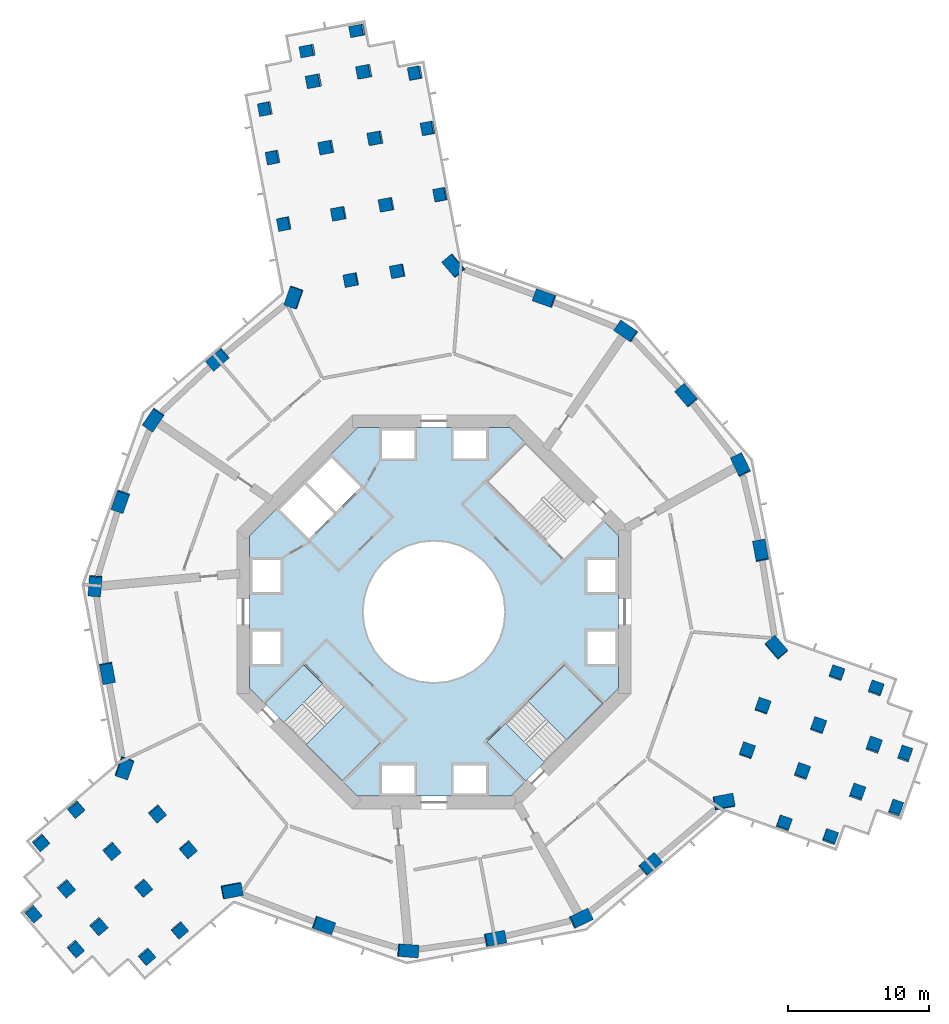
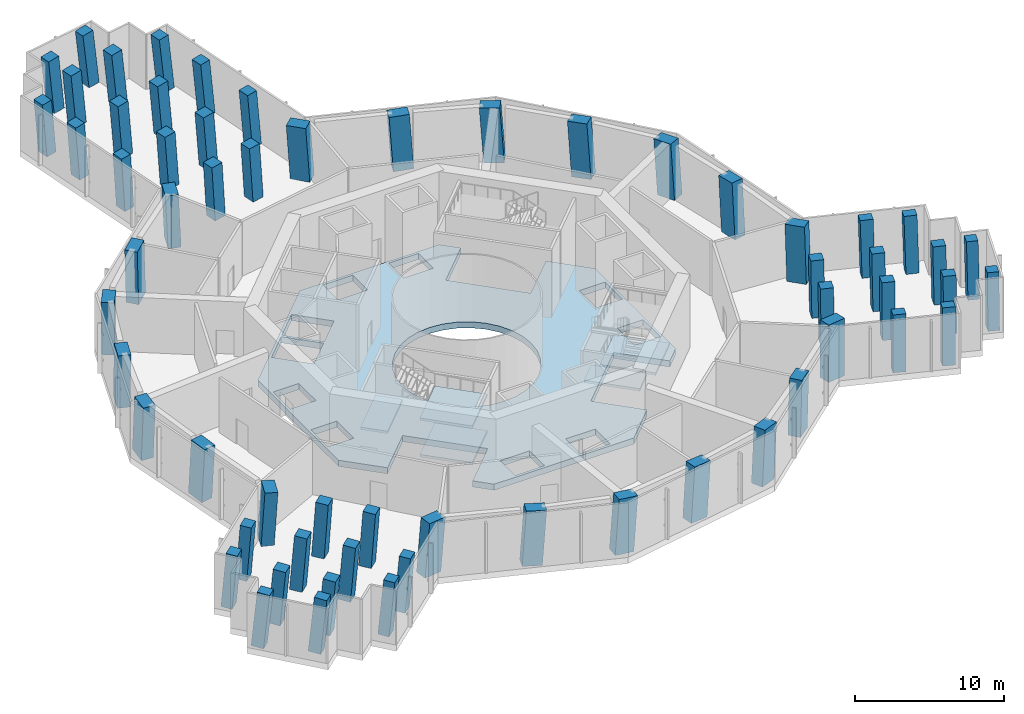
# One storey, part 1 of 20: 61 columns, 6 slabs, 2 elements without a shape of their own.
"""IFC4 building model written with IfcOpenShell, lengths in metres."""

from ifc_helpers import new_model, si_unit, direction, frame, origin, origin_2d, place, context, subcontext, project, spatial, polyline, rectangle, outline, extrude, material, layer, layer_set, material_profile, profile_set, type_object, element, aggregate, save


model = new_model("IFC4")

# Units and contexts
model_context = context("Model", 3, precision=1e-05, world=origin(), true_north=direction((0.0, 1.0)))
body_context = subcontext(model_context, "Body", "Model", "MODEL_VIEW")
ifc_project = project(units=[si_unit("LENGTHUNIT", "METRE"), si_unit("AREAUNIT", "SQUARE_METRE"), si_unit("VOLUMEUNIT", "CUBIC_METRE"), si_unit("PLANEANGLEUNIT", "RADIAN"), si_unit("MASSUNIT", "GRAM", prefix="KILO")], contexts=[model_context])

# Site, building, storey
site_placement = place(None, origin())
site = spatial("IfcSite", under=ifc_project, at=site_placement, CompositionType="ELEMENT")
building_placement = place(site_placement, origin())
building = spatial("IfcBuilding", under=site, at=building_placement, Name="Verdalira Terraces Hotel", CompositionType="ELEMENT")
storey_placement = place(building_placement, frame((0.0, 0.0, 75.0)))
storey = spatial("IfcBuildingStorey", under=building, at=storey_placement, Name="L17", CompositionType="ELEMENT", Elevation=75.0)

# Columns
ifc_material_1 = material(Name="Concrete C80", Category="concrete")
ifc_material_profile_1 = material_profile(ifc_material_1, rectangle(XDim=1.399902, YDim=0.899902, at=origin_2d()), Name="RC 1400X900")
ifc_profile_set_1 = profile_set([ifc_material_profile_1], Name="Concrete C80")
column_type_1 = type_object("IfcColumnType", Name="Column RC 1400X900 C80", PredefinedType="COLUMN", material=ifc_profile_set_1)
column_1_placement = place(storey_placement, frame((-9.942627, 22.341064, 0.0), z_axis=(-0.062029974, -0.028200363, 0.99767581), x_axis=(0.330642475, 0.942575024, 0.047200405)))
element("IfcColumn", 1, at=column_1_placement, inside=storey, type_object=column_type_1, Name="Column C07", PredefinedType="COLUMN", context=body_context, shape_type="SweptSolid", body=[
    extrude(rectangle(XDim=1.399902, YDim=0.899902, at=origin_2d()), origin(), (0.0, 0.0, 1.0), 4.510498),
])
column_2_placement = place(storey_placement, frame((-15.351318, 17.935791, 0.0), z_axis=(-0.049588704, -0.043146504, 0.997837331), x_axis=(-0.758262845, -0.64862709, -0.065729414)))
element("IfcColumn", 2, at=column_2_placement, inside=storey, type_object=column_type_1, Name="Column C08", PredefinedType="COLUMN", context=body_context, shape_type="SweptSolid", body=[
    extrude(rectangle(XDim=1.399902, YDim=0.899902, at=origin_2d()), origin(), (0.0, 0.0, 1.0), 4.509766),
])
column_3_placement = place(storey_placement, frame((-19.917969, 13.658691, 0.0), z_axis=(-0.03756661, -0.055808609, 0.997734508), x_axis=(0.564089208, 0.822968914, 0.067272074)))
element("IfcColumn", 3, at=column_3_placement, inside=storey, type_object=column_type_1, Name="Column C09", PredefinedType="COLUMN", context=body_context, shape_type="SweptSolid", body=[
    extrude(rectangle(XDim=1.399902, YDim=0.899902, at=origin_2d()), origin(), (0.0, 0.0, 1.0), 4.510254),
])
column_4_placement = place(storey_placement, frame((-22.262451, 7.857422, 0.0), z_axis=(-0.021383642, -0.062256172, 0.997831102), x_axis=(-0.332073569, -0.940953962, -0.0658239)))
element("IfcColumn", 4, at=column_4_placement, inside=storey, type_object=column_type_1, Name="Column C10", PredefinedType="COLUMN", context=body_context, shape_type="SweptSolid", body=[
    extrude(rectangle(XDim=1.399902, YDim=0.899902, at=origin_2d()), origin(), (0.0, 0.0, 1.0), 4.509766),
])
column_5_placement = place(storey_placement, frame((-24.078857, 1.869629, 0.0), z_axis=(-0.004601096, -0.067121874, 0.997734175), x_axis=(0.076607564, 0.994788965, 0.067277016)))
element("IfcColumn", 5, at=column_5_placement, inside=storey, type_object=column_type_1, Name="Column C11", PredefinedType="COLUMN", context=body_context, shape_type="SweptSolid", body=[
    extrude(rectangle(XDim=1.399902, YDim=0.899902, at=origin_2d()), origin(), (0.0, 0.0, 1.0), 4.510254),
])
column_6_placement = place(storey_placement, frame((-23.208496, -4.32666, 0.0), z_axis=(0.01261366, -0.064584105, 0.997832546), x_axis=(0.18302285, -0.980904037, -0.06580202)))
element("IfcColumn", 6, at=column_6_placement, inside=storey, type_object=column_type_1, Name="Column C12", PredefinedType="COLUMN", context=body_context, shape_type="SweptSolid", body=[
    extrude(rectangle(XDim=1.399902, YDim=0.899902, at=origin_2d()), origin(), (0.0, 0.0, 1.0), 4.509766),
])
column_7_placement = place(storey_placement, frame((-22.00293, -11.066162, 0.0), z_axis=(0.031338701, -0.061053636, 0.997642391), x_axis=(0.334806425, 0.941110213, 0.04707679)))
element("IfcColumn", 7, at=column_7_placement, inside=storey, type_object=column_type_1, Name="Column C13", PredefinedType="COLUMN", context=body_context, shape_type="SweptSolid", body=[
    extrude(rectangle(XDim=1.399902, YDim=0.899902, at=origin_2d()), origin(), (0.0, 0.0, 1.0), 4.510742),
])
column_8_placement = place(storey_placement, frame((-14.376709, -19.78125, 0.0), z_axis=(0.055480543, -0.039567099, 0.997675475), x_axis=(-0.981430736, -0.185918026, 0.047203799)))
element("IfcColumn", 8, at=column_8_placement, inside=storey, type_object=column_type_1, Name="Column C20", PredefinedType="COLUMN", context=body_context, shape_type="SweptSolid", body=[
    extrude(rectangle(XDim=1.399902, YDim=0.899902, at=origin_2d()), origin(), (0.0, 0.0, 1.0), 4.510498),
])
column_9_placement = place(storey_placement, frame((-7.857422, -22.262451, 0.0), z_axis=(0.062256172, -0.021383642, 0.997831102), x_axis=(0.940953962, -0.332073569, -0.0658239)))
element("IfcColumn", 9, at=column_9_placement, inside=storey, type_object=column_type_1, Name="Column C21", PredefinedType="COLUMN", context=body_context, shape_type="SweptSolid", body=[
    extrude(rectangle(XDim=1.399902, YDim=0.899902, at=origin_2d()), origin(), (0.0, 0.0, 1.0), 4.509766),
])
column_10_placement = place(storey_placement, frame((-1.869629, -24.078857, 0.0), z_axis=(0.067121874, -0.004601096, 0.997734175), x_axis=(-0.994788965, 0.076607564, 0.067277016)))
element("IfcColumn", 10, at=column_10_placement, inside=storey, type_object=column_type_1, Name="Column C22", PredefinedType="COLUMN", context=body_context, shape_type="SweptSolid", body=[
    extrude(rectangle(XDim=1.399902, YDim=0.899902, at=origin_2d()), origin(), (0.0, 0.0, 1.0), 4.510254),
])
column_11_placement = place(storey_placement, frame((4.32666, -23.208496, 0.0), z_axis=(0.064584105, 0.01261366, 0.997832546), x_axis=(0.980904037, 0.18302285, -0.06580202)))
element("IfcColumn", 11, at=column_11_placement, inside=storey, type_object=column_type_1, Name="Column C23", PredefinedType="COLUMN", context=body_context, shape_type="SweptSolid", body=[
    extrude(rectangle(XDim=1.399902, YDim=0.899902, at=origin_2d()), origin(), (0.0, 0.0, 1.0), 4.509766),
])
column_12_placement = place(storey_placement, frame((10.420166, -21.787598, 0.0), z_axis=(0.06046373, 0.029555234, 0.997732743), x_axis=(-0.900031459, -0.430597628, 0.067298255)))
element("IfcColumn", 12, at=column_12_placement, inside=storey, type_object=column_type_1, Name="Column C24", PredefinedType="COLUMN", context=body_context, shape_type="SweptSolid", body=[
    extrude(rectangle(XDim=1.399902, YDim=0.899902, at=origin_2d()), origin(), (0.0, 0.0, 1.0), 4.510254),
])
column_13_placement = place(storey_placement, frame((15.351318, -17.935791, 0.0), z_axis=(0.049588704, 0.043146504, 0.997837331), x_axis=(0.758262845, 0.64862709, -0.065729414)))
element("IfcColumn", 13, at=column_13_placement, inside=storey, type_object=column_type_1, Name="Column C25", PredefinedType="COLUMN", context=body_context, shape_type="SweptSolid", body=[
    extrude(rectangle(XDim=1.399902, YDim=0.899902, at=origin_2d()), origin(), (0.0, 0.0, 1.0), 4.509766),
])
for number, where, z_axis, x_axis, name in (
    (14, (20.585205, -13.521973, 0.0), (0.037130289, 0.057643962, 0.997646488), (-0.982298041, -0.18132342, 0.04703591), "Column C26"),
    (15, (24.319336, -2.559814, 0.0), (0.006603539, 0.06782159, 0.997675611), (0.650855376, -0.757732941, 0.047202421), "Column C33"),
):
    element("IfcColumn", number, at=place(storey_placement, frame(where, z_axis=z_axis, x_axis=x_axis)), inside=storey, type_object=column_type_1, Name=name, PredefinedType="COLUMN", context=body_context, shape_type="SweptSolid", body=[
        extrude(rectangle(XDim=1.399902, YDim=0.899902, at=origin_2d()), origin(), (0.0, 0.0, 1.0), 4.510498),
    ])
column_14_placement = place(storey_placement, frame((23.208496, 4.32666, 0.0), z_axis=(-0.01261366, 0.064584105, 0.997832546), x_axis=(-0.18302285, 0.980904037, -0.06580202)))
element("IfcColumn", 16, at=column_14_placement, inside=storey, type_object=column_type_1, Name="Column C34", PredefinedType="COLUMN", context=body_context, shape_type="SweptSolid", body=[
    extrude(rectangle(XDim=1.399902, YDim=0.899902, at=origin_2d()), origin(), (0.0, 0.0, 1.0), 4.509766),
])
column_15_placement = place(storey_placement, frame((21.787598, 10.420166, 0.0), z_axis=(-0.029555234, 0.06046373, 0.997732743), x_axis=(0.430597628, -0.900031459, 0.067298255)))
element("IfcColumn", 17, at=column_15_placement, inside=storey, type_object=column_type_1, Name="Column C35", PredefinedType="COLUMN", context=body_context, shape_type="SweptSolid", body=[
    extrude(rectangle(XDim=1.399902, YDim=0.899902, at=origin_2d()), origin(), (0.0, 0.0, 1.0), 4.510254),
])
column_16_placement = place(storey_placement, frame((17.935791, 15.351318, 0.0), z_axis=(-0.043146504, 0.049588704, 0.997837331), x_axis=(-0.64862709, 0.758262845, -0.065729414)))
element("IfcColumn", 18, at=column_16_placement, inside=storey, type_object=column_type_1, Name="Column C36", PredefinedType="COLUMN", context=body_context, shape_type="SweptSolid", body=[
    extrude(rectangle(XDim=1.399902, YDim=0.899902, at=origin_2d()), origin(), (0.0, 0.0, 1.0), 4.509766),
])
column_17_placement = place(storey_placement, frame((13.658691, 19.917969, 0.0), z_axis=(-0.055808609, 0.03756661, 0.997734508), x_axis=(0.822968914, -0.564089208, 0.067272074)))
element("IfcColumn", 19, at=column_17_placement, inside=storey, type_object=column_type_1, Name="Column C37", PredefinedType="COLUMN", context=body_context, shape_type="SweptSolid", body=[
    extrude(rectangle(XDim=1.399902, YDim=0.899902, at=origin_2d()), origin(), (0.0, 0.0, 1.0), 4.510254),
])
column_18_placement = place(storey_placement, frame((7.857422, 22.262451, 0.0), z_axis=(-0.062256172, 0.021383642, 0.997831102), x_axis=(-0.940953962, 0.332073569, -0.0658239)))
element("IfcColumn", 20, at=column_18_placement, inside=storey, type_object=column_type_1, Name="Column C38", PredefinedType="COLUMN", context=body_context, shape_type="SweptSolid", body=[
    extrude(rectangle(XDim=1.399902, YDim=0.899902, at=origin_2d()), origin(), (0.0, 0.0, 1.0), 4.509766),
])
column_19_placement = place(storey_placement, frame((1.417969, 24.588135, 0.0), z_axis=(-0.068576925, 0.003409902, 0.997640004), x_axis=(0.647382217, -0.760708749, 0.047100582)))
element("IfcColumn", 21, at=column_19_placement, inside=storey, type_object=column_type_1, Name="Column C39", PredefinedType="COLUMN", context=body_context, shape_type="SweptSolid", body=[
    extrude(rectangle(XDim=1.399902, YDim=0.899902, at=origin_2d()), origin(), (0.0, 0.0, 1.0), 4.510742),
])
ifc_material_2 = material(Name="Concrete C80", Category="concrete")
ifc_material_profile_2 = material_profile(ifc_material_2, rectangle(XDim=0.899902, YDim=0.800049, at=origin_2d()), Name="RC 900X800")
ifc_profile_set_2 = profile_set([ifc_material_profile_2], Name="Concrete C80")
column_type_2 = type_object("IfcColumnType", Name="Column RC 900X800 C80", PredefinedType="COLUMN", material=ifc_profile_set_2)
column_20_placement = place(storey_placement, frame((0.476562, 29.637695, 0.0), z_axis=(-0.082508497, 0.000594753, 0.996590184), x_axis=(-0.18247237, 0.983085724, -0.015693727)))
element("IfcColumn", 22, at=column_20_placement, inside=storey, type_object=column_type_2, Name="Column C01", PredefinedType="COLUMN", context=body_context, shape_type="SweptSolid", body=[
    extrude(rectangle(XDim=0.899902, YDim=0.800049, at=origin_2d()), origin(), (0.0, 0.0, 1.0), 4.515381),
])
column_21_placement = place(storey_placement, frame((-0.401367, 34.346436, 0.0), z_axis=(-0.095428212, -0.001890202, 0.99543452), x_axis=(-0.181546423, 0.983259629, -0.015537025)))
element("IfcColumn", 23, at=column_21_placement, inside=storey, type_object=column_type_2, Name="Column C02", PredefinedType="COLUMN", context=body_context, shape_type="SweptSolid", body=[
    extrude(rectangle(XDim=0.899902, YDim=0.800049, at=origin_2d()), origin(), (0.0, 0.0, 1.0), 4.520752),
])
column_22_placement = place(storey_placement, frame((-1.297119, 38.278809, 0.0), z_axis=(-0.106273004, -0.004477492, 0.994326908), x_axis=(-0.181543188, 0.983268938, -0.014975519)))
element("IfcColumn", 24, at=column_22_placement, inside=storey, type_object=column_type_2, Name="Column C03", PredefinedType="COLUMN", context=body_context, shape_type="SweptSolid", body=[
    extrude(rectangle(XDim=0.899902, YDim=0.800049, at=origin_2d()), origin(), (0.0, 0.0, 1.0), 4.525635),
])
column_23_placement = place(storey_placement, frame((-11.952881, 35.743164, 0.0), z_axis=(-0.099007972, -0.034045793, 0.99450405), x_axis=(0.184904999, -0.98263836, -0.015231344)))
element("IfcColumn", 25, at=column_23_placement, inside=storey, type_object=column_type_2, Name="Column C04", PredefinedType="COLUMN", context=body_context, shape_type="SweptSolid", body=[
    extrude(rectangle(XDim=0.899902, YDim=0.800049, at=origin_2d()), origin(), (0.0, 0.0, 1.0), 4.524902),
])
column_24_placement = place(storey_placement, frame((-11.411621, 32.293945, 0.0), z_axis=(-0.089489751, -0.032458262, 0.995458711), x_axis=(0.184575481, -0.982696909, -0.015449179)))
element("IfcColumn", 26, at=column_24_placement, inside=storey, type_object=column_type_2, Name="Column C05", PredefinedType="COLUMN", context=body_context, shape_type="SweptSolid", body=[
    extrude(rectangle(XDim=0.899902, YDim=0.800049, at=origin_2d()), origin(), (0.0, 0.0, 1.0), 4.520508),
])
column_25_placement = place(storey_placement, frame((-10.622314, 27.568604, 0.0), z_axis=(-0.076454719, -0.030225027, 0.996614832), x_axis=(0.184806827, -0.982650661, -0.015624179)))
element("IfcColumn", 27, at=column_25_placement, inside=storey, type_object=column_type_2, Name="Column C06", PredefinedType="COLUMN", context=body_context, shape_type="SweptSolid", body=[
    extrude(rectangle(XDim=0.899902, YDim=0.800049, at=origin_2d()), origin(), (0.0, 0.0, 1.0), 4.515381),
])
column_26_placement = place(storey_placement, frame((-25.445557, -14.012695, 0.0), z_axis=(0.039583481, -0.070514836, 0.99672504), x_axis=(-0.760598812, -0.649032065, -0.015710692)))
element("IfcColumn", 28, at=column_26_placement, inside=storey, type_object=column_type_2, Name="Column C14", PredefinedType="COLUMN", context=body_context, shape_type="SweptSolid", body=[
    extrude(rectangle(XDim=0.899902, YDim=0.800049, at=origin_2d()), origin(), (0.0, 0.0, 1.0), 4.514893),
])
column_27_placement = place(storey_placement, frame((-27.943604, -16.361328, 0.0), z_axis=(0.046144254, -0.077321344, 0.995937808), x_axis=(-0.760531503, -0.649124065, -0.015158563)))
element("IfcColumn", 29, at=column_27_placement, inside=storey, type_object=column_type_2, Name="Column C15", PredefinedType="COLUMN", context=body_context, shape_type="SweptSolid", body=[
    extrude(rectangle(XDim=0.899902, YDim=0.800049, at=origin_2d()), origin(), (0.0, 0.0, 1.0), 4.518311),
])
column_28_placement = place(storey_placement, frame((-28.492676, -21.425293, 0.0), z_axis=(0.060195155, -0.078658601, 0.995082593), x_axis=(0.647523687, -0.755600518, -0.098898593)))
element("IfcColumn", 30, at=column_28_placement, inside=storey, type_object=column_type_2, Name="Column C16", PredefinedType="COLUMN", context=body_context, shape_type="SweptSolid", body=[
    extrude(rectangle(XDim=0.899902, YDim=0.800049, at=origin_2d()), origin(), (0.0, 0.0, 1.0), 4.522217),
])
column_29_placement = place(storey_placement, frame((-25.494385, -23.91333, 0.0), z_axis=(0.067064004, -0.070303811, 0.995268704), x_axis=(0.646812449, -0.756452966, -0.097018382)))
element("IfcColumn", 31, at=column_29_placement, inside=storey, type_object=column_type_2, Name="Column C17", PredefinedType="COLUMN", context=body_context, shape_type="SweptSolid", body=[
    extrude(rectangle(XDim=0.899902, YDim=0.800049, at=origin_2d()), origin(), (0.0, 0.0, 1.0), 4.521484),
])
column_30_placement = place(storey_placement, frame((-20.43042, -24.462646, 0.0), z_axis=(0.068468725, -0.056255677, 0.996065928), x_axis=(0.758979094, 0.650932654, -0.015408291)))
element("IfcColumn", 32, at=column_30_placement, inside=storey, type_object=column_type_2, Name="Column C18", PredefinedType="COLUMN", context=body_context, shape_type="SweptSolid", body=[
    extrude(rectangle(XDim=0.899902, YDim=0.800049, at=origin_2d()), origin(), (0.0, 0.0, 1.0), 4.517822),
])
for number, where, z_axis, x_axis, name in (
    (33, (-18.0979, -22.597656, 0.0), (0.063324307, -0.049805027, 0.996749463), (0.758542492, 0.651435854, -0.015640236), "Column C19"),
    (34, (24.858154, -15.030029, 0.0), (0.041260003, 0.069487685, 0.996729188), (0.942328981, -0.334319575, -0.015700757), "Column C27"),
):
    element("IfcColumn", number, at=place(storey_placement, frame(where, z_axis=z_axis, x_axis=x_axis)), inside=storey, type_object=column_type_2, Name=name, PredefinedType="COLUMN", context=body_context, shape_type="SweptSolid", body=[
        extrude(rectangle(XDim=0.899902, YDim=0.800049, at=origin_2d()), origin(), (0.0, 0.0, 1.0), 4.514648),
    ])
column_31_placement = place(storey_placement, frame((28.141113, -16.019043, 0.0), z_axis=(0.04387491, 0.078618219, 0.995938837), x_axis=(0.942464815, -0.333961598, -0.015156646)))
element("IfcColumn", 35, at=column_31_placement, inside=storey, type_object=column_type_2, Name="Column C28", PredefinedType="COLUMN", context=body_context, shape_type="SweptSolid", body=[
    extrude(rectangle(XDim=0.899902, YDim=0.800049, at=origin_2d()), origin(), (0.0, 0.0, 1.0), 4.518311),
])
column_32_placement = place(storey_placement, frame((32.801025, -13.962891, 0.0), z_axis=(0.038060581, 0.091453368, 0.995081742), x_axis=(0.330961386, 0.938446557, -0.098907131)))
element("IfcColumn", 36, at=column_32_placement, inside=storey, type_object=column_type_2, Name="Column C29", PredefinedType="COLUMN", context=body_context, shape_type="SweptSolid", body=[
    extrude(rectangle(XDim=0.899902, YDim=0.800049, at=origin_2d()), origin(), (0.0, 0.0, 1.0), 4.522217),
])
column_33_placement = place(storey_placement, frame((33.456787, -10.12207, 0.0), z_axis=(0.027322478, 0.093198808, 0.995272558), x_axis=(0.331508097, 0.938454828, -0.096978957)))
element("IfcColumn", 37, at=column_33_placement, inside=storey, type_object=column_type_2, Name="Column C30", PredefinedType="COLUMN", context=body_context, shape_type="SweptSolid", body=[
    extrude(rectangle(XDim=0.899902, YDim=0.800049, at=origin_2d()), origin(), (0.0, 0.0, 1.0), 4.521484),
])
column_34_placement = place(storey_placement, frame((31.400391, -5.462158, 0.0), z_axis=(0.014482645, 0.087490304, 0.996060088), x_axis=(-0.943261566, 0.331692405, -0.0154197)))
element("IfcColumn", 38, at=column_34_placement, inside=storey, type_object=column_type_2, Name="Column C31", PredefinedType="COLUMN", context=body_context, shape_type="SweptSolid", body=[
    extrude(rectangle(XDim=0.899902, YDim=0.800049, at=origin_2d()), origin(), (0.0, 0.0, 1.0), 4.517822),
])
column_35_placement = place(storey_placement, frame((28.618896, -4.374268, 0.0), z_axis=(0.011518451, 0.079709841, 0.996751557), x_axis=(-0.943215452, 0.331813429, -0.015635205)))
element("IfcColumn", 39, at=column_35_placement, inside=storey, type_object=column_type_2, Name="Column C32", PredefinedType="COLUMN", context=body_context, shape_type="SweptSolid", body=[
    extrude(rectangle(XDim=0.899902, YDim=0.800049, at=origin_2d()), origin(), (0.0, 0.0, 1.0), 4.514648),
])
column_36_placement = place(storey_placement, frame((-5.407959, 41.286377, 0.0), z_axis=(-0.114409066, -0.015951523, 0.99330565), x_axis=(-0.976400592, -0.182554658, -0.115393589)))
element("IfcColumn", 40, at=column_36_placement, inside=storey, type_object=column_type_2, Name="Column C40", PredefinedType="COLUMN", context=body_context, shape_type="SweptSolid", body=[
    extrude(rectangle(XDim=0.899902, YDim=0.800049, at=origin_2d()), origin(), (0.0, 0.0, 1.0), 4.530273),
])
column_37_placement = place(storey_placement, frame((-8.945312, 39.854004, 0.0), z_axis=(-0.110394863, -0.025765989, 0.993553767), x_axis=(-0.976823235, -0.181636013, -0.113246311)))
element("IfcColumn", 41, at=column_37_placement, inside=storey, type_object=column_type_2, Name="Column C41", PredefinedType="COLUMN", context=body_context, shape_type="SweptSolid", body=[
    extrude(rectangle(XDim=0.899902, YDim=0.800049, at=origin_2d()), origin(), (0.0, 0.0, 1.0), 4.529297),
])
ifc_material_3 = material(Name="Concrete C80", Category="concrete")
ifc_material_profile_3 = material_profile(ifc_material_3, rectangle(XDim=0.899902, YDim=0.899902, at=origin_2d()), Name="RC 900X900")
ifc_profile_set_3 = profile_set([ifc_material_profile_3], Name="Concrete C80")
column_type_3 = type_object("IfcColumnType", Name="Column RC 900X900 C80", PredefinedType="COLUMN", material=ifc_profile_set_3)
for number, where, z_axis, x_axis, name in (
    (42, (-2.571533, 24.197021, 0.0), (-0.067336111, -0.007740405, 0.997700323), (-0.183137612, 0.983075893, -0.004733254), "Column C42"),
    (43, (-5.871094, 23.581787, 0.0), (-0.065604156, -0.016888198, 0.997702803), (-0.183144553, 0.983075242, 0.004597888), "Column C43"),
):
    element("IfcColumn", number, at=place(storey_placement, frame(where, z_axis=z_axis, x_axis=x_axis)), inside=storey, type_object=column_type_3, Name=name, PredefinedType="COLUMN", context=body_context, shape_type="SweptSolid", body=[
        extrude(rectangle(XDim=0.899902, YDim=0.899902, at=origin_2d()), origin(), (0.0, 0.0, 1.0), 4.510254),
    ])
for number, where, z_axis, x_axis, name in (
    (44, (-3.355469, 28.923096, 0.0), (-0.08040963, -0.010003888, 0.9967117), (-0.18277898, 0.983141928, -0.004877989), "Column C44"),
    (45, (-6.749023, 28.290527, 0.0), (-0.078571687, -0.019413101, 0.99671943), (-0.183307561, 0.983044394, 0.004696563), "Column C45"),
):
    element("IfcColumn", number, at=place(storey_placement, frame(where, z_axis=z_axis, x_axis=x_axis)), inside=storey, type_object=column_type_3, Name=name, PredefinedType="COLUMN", context=body_context, shape_type="SweptSolid", body=[
        extrude(rectangle(XDim=0.899902, YDim=0.899902, at=origin_2d()), origin(), (0.0, 0.0, 1.0), 4.514893),
    ])
for number, where, z_axis, x_axis, name in (
    (46, (-4.139404, 33.649658, 0.0), (-0.093440713, -0.01231473, 0.995548683), (-0.1830549, 0.983089872, -0.005020643), "Column C46"),
    (47, (-7.626709, 32.999512, 0.0), (-0.091604683, -0.021982963, 0.995552777), (-0.183721443, 0.982966627, 0.004800122), "Column C47"),
):
    element("IfcColumn", number, at=place(storey_placement, frame(where, z_axis=z_axis, x_axis=x_axis)), inside=storey, type_object=column_type_3, Name=name, PredefinedType="COLUMN", context=body_context, shape_type="SweptSolid", body=[
        extrude(rectangle(XDim=0.899902, YDim=0.899902, at=origin_2d()), origin(), (0.0, 0.0, 1.0), 4.52002),
    ])
for number, where, z_axis, x_axis, name in (
    (48, (-4.923096, 38.375977, 0.0), (-0.106422788, -0.014563686, 0.994214307), (-0.182749116, 0.983146038, -0.005160296), "Column C48"),
    (49, (-8.504639, 37.708252, 0.0), (-0.10448211, -0.024488837, 0.994225219), (-0.183803785, 0.982950764, 0.004895384), "Column C49"),
):
    element("IfcColumn", number, at=place(storey_placement, frame(where, z_axis=z_axis, x_axis=x_axis)), inside=storey, type_object=column_type_3, Name=name, PredefinedType="COLUMN", context=body_context, shape_type="SweptSolid", body=[
        extrude(rectangle(XDim=0.899902, YDim=0.899902, at=origin_2d()), origin(), (0.0, 0.0, 1.0), 4.526123),
    ])
for number, where, z_axis, x_axis, name in (
    (50, (-19.669189, -14.325439, 0.0), (0.040325941, -0.054453553, 0.997701673), (-0.760201654, -0.649669958, -0.004731866), "Column C50"),
    (51, (-17.486816, -16.875488, 0.0), (0.047416967, -0.048337159, 0.997704942), (-0.759643517, -0.650323462, 0.00459575), "Column C51"),
):
    element("IfcColumn", number, at=place(storey_placement, frame(where, z_axis=z_axis, x_axis=x_axis)), inside=storey, type_object=column_type_3, Name=name, PredefinedType="COLUMN", context=body_context, shape_type="SweptSolid", body=[
        extrude(rectangle(XDim=0.899902, YDim=0.899902, at=origin_2d()), origin(), (0.0, 0.0, 1.0), 4.510254),
    ])
for number, where, z_axis, x_axis, name in (
    (52, (-22.90918, -16.976074, 0.0), (0.047754883, -0.063330655, 0.996849386), (-0.759973285, -0.649935962, -0.004883822), "Column C52"),
    (53, (-20.66626, -19.59668, 0.0), (0.055056154, -0.057057212, 0.996851691), (-0.759258385, -0.650772428, 0.004685337), "Column C53"),
):
    element("IfcColumn", number, at=place(storey_placement, frame(where, z_axis=z_axis, x_axis=x_axis)), inside=storey, type_object=column_type_3, Name=name, PredefinedType="COLUMN", context=body_context, shape_type="SweptSolid", body=[
        extrude(rectangle(XDim=0.899902, YDim=0.899902, at=origin_2d()), origin(), (0.0, 0.0, 1.0), 4.51416),
    ])
for number, where, z_axis, x_axis, name in (
    (54, (-26.149414, -19.626465, 0.0), (0.055217381, -0.072236437, 0.995857891), (-0.759742027, -0.650205096, -0.005038404), "Column C54"),
    (55, (-23.845703, -22.317871, 0.0), (0.062619799, -0.06580752, 0.995865519), (-0.759507114, -0.650481482, 0.004773345), "Column C55"),
):
    element("IfcColumn", number, at=place(storey_placement, frame(where, z_axis=z_axis, x_axis=x_axis)), inside=storey, type_object=column_type_3, Name=name, PredefinedType="COLUMN", context=body_context, shape_type="SweptSolid", body=[
        extrude(rectangle(XDim=0.899902, YDim=0.899902, at=origin_2d()), origin(), (0.0, 0.0, 1.0), 4.518799),
    ])
for number, where, z_axis, x_axis, name in (
    (56, (22.240967, -9.871338, 0.0), (0.026956087, 0.062193864, 0.997700001), (0.942993498, -0.332777487, -0.004733584), "Column C56"),
    (57, (23.35791, -6.706299, 0.0), (0.018133216, 0.065225449, 0.997705782), (0.94310093, -0.332474845, 0.00459491), "Column C57"),
):
    element("IfcColumn", number, at=place(storey_placement, frame(where, z_axis=z_axis, x_axis=x_axis)), inside=storey, type_object=column_type_3, Name=name, PredefinedType="COLUMN", context=body_context, shape_type="SweptSolid", body=[
        extrude(rectangle(XDim=0.899902, YDim=0.899902, at=origin_2d()), origin(), (0.0, 0.0, 1.0), 4.510254),
    ])
for number, where, z_axis, x_axis, name in (
    (58, (26.15625, -11.352051, 0.0), (0.030989178, 0.073065234, 0.996845596), (0.942838166, -0.333215115, -0.004886754), "Column C58"),
    (59, (27.304199, -8.099121, 0.0), (0.021957538, 0.07620239, 0.996850572), (0.942914723, -0.3330013, 0.004686168), "Column C59"),
):
    element("IfcColumn", number, at=place(storey_placement, frame(where, z_axis=z_axis, x_axis=x_axis)), inside=storey, type_object=column_type_3, Name=name, PredefinedType="COLUMN", context=body_context, shape_type="SweptSolid", body=[
        extrude(rectangle(XDim=0.899902, YDim=0.899902, at=origin_2d()), origin(), (0.0, 0.0, 1.0), 4.51416),
    ])
column_38_placement = place(storey_placement, frame((30.071533, -12.832764, 0.0), z_axis=(0.035010646, 0.083906688, 0.995858385), x_axis=(0.942715693, -0.3335592, -0.005038104)))
element("IfcColumn", 60, at=column_38_placement, inside=storey, type_object=column_type_3, Name="Column C60", PredefinedType="COLUMN", context=body_context, shape_type="SweptSolid", body=[
    extrude(rectangle(XDim=0.899902, YDim=0.899902, at=origin_2d()), origin(), (0.0, 0.0, 1.0), 4.518799),
])
column_39_placement = place(storey_placement, frame((31.250732, -9.491943, 0.0), z_axis=(0.025663951, 0.087095345, 0.99586935), x_axis=(0.943107052, -0.332454998, 0.004771138)))
element("IfcColumn", 61, at=column_39_placement, inside=storey, type_object=column_type_3, Name="Column C61", PredefinedType="COLUMN", context=body_context, shape_type="SweptSolid", body=[
    extrude(rectangle(XDim=0.899902, YDim=0.899902, at=origin_2d()), origin(), (0.0, 0.0, 1.0), 4.518555),
])

# Slab
ifc_material_4 = material(Name="Concrete C40", Category="concrete")
ifc_layer_1 = layer(ifc_material_4, 0.5)
ifc_layer_set_1 = layer_set([ifc_layer_1], Name="Core floor slab 500 mm")
slab_type_1 = type_object("IfcSlabType", Name="Core floor slab 500 mm", PredefinedType="FLOOR", material=ifc_layer_set_1)
slab_1_placement = place(storey_placement, frame((0.0, 0.0, -0.5)))
element("IfcSlab", 62, at=slab_1_placement, inside=storey, type_object=slab_type_1, Name="L17 core floor", PredefinedType="FLOOR", context=body_context, shape_type="SweptSolid", body=[
    extrude(outline(polyline([(-5.42627, 13.100098), (5.42627, 13.100098), (6.491211, 12.034912), (3.719482, 9.263184), (7.905029, 5.077393), (10.677002, 7.849121), (13.100098, 5.42627), (13.100098, -5.42627), (12.034912, -6.491211), (9.263184, -3.719482), (5.077393, -7.905029), (7.849121, -10.677002), (5.42627, -13.100098), (-5.42627, -13.100098), (-6.491211, -12.034912), (-3.719482, -9.263184), (-7.905029, -5.077393), (-10.677002, -7.849121), (-13.100098, -5.42627), (-13.100098, 5.42627), (-5.42627, 13.100098)]), holes=[polyline([(12.899902, -3.699951), (12.899902, -1.399902), (10.899902, -1.399902), (10.899902, -3.699951), (12.899902, -3.699951)]), polyline([(12.899902, 1.399902), (12.899902, 3.699951), (10.899902, 3.699951), (10.899902, 1.399902), (12.899902, 1.399902)]), polyline([(1.399902, 10.899902), (3.699951, 10.899902), (3.699951, 12.899902), (1.399902, 12.899902), (1.399902, 10.899902)]), polyline([(-3.699951, 10.899902), (-1.399902, 10.899902), (-1.399902, 12.899902), (-3.699951, 12.899902), (-3.699951, 10.899902)]), polyline([(-12.899902, 3.699951), (-12.899902, 1.399902), (-10.899902, 1.399902), (-10.899902, 3.699951), (-12.899902, 3.699951)]), polyline([(-12.899902, -1.399902), (-12.899902, -3.699951), (-10.899902, -3.699951), (-10.899902, -1.399902), (-12.899902, -1.399902)]), polyline([(-1.399902, -10.899902), (-3.699951, -10.899902), (-3.699951, -12.899902), (-1.399902, -12.899902), (-1.399902, -10.899902)]), polyline([(3.699951, -10.899902), (1.399902, -10.899902), (1.399902, -12.899902), (3.699951, -12.899902), (3.699951, -10.899902)]), polyline([(-9.051025, 9.192383), (-6.965088, 7.106445), (-5.197266, 8.874268), (-7.283203, 10.960205), (-9.051025, 9.192383)]), polyline([(-9.192383, 9.051025), (-10.960205, 7.283203), (-8.874268, 5.197266), (-7.106445, 6.965088), (-9.192383, 9.051025)]), polyline([(3.5354, 3.5354), (2.777832, 4.157227), (1.91333, 4.619385), (0.975586, 4.903809), (0.0, 5.0), (-0.975586, 4.903809), (-1.91333, 4.619385), (-2.777832, 4.157227), (-3.5354, 3.5354), (-4.157227, 2.777832), (-4.619385, 1.91333), (-4.903809, 0.975586), (-5.0, 0.0), (-4.903809, -0.975586), (-4.619385, -1.91333), (-4.157227, -2.777832), (-3.5354, -3.5354), (-2.777832, -4.157227), (-1.91333, -4.619385), (-0.975586, -4.903809), (0.0, -5.0), (0.975586, -4.903809), (1.91333, -4.619385), (2.777832, -4.157227), (3.5354, -3.5354), (4.157227, -2.777832), (4.619385, -1.91333), (4.903809, -0.975586), (5.0, 0.0), (4.903809, 0.975586), (4.619385, 1.91333), (4.157227, 2.777832), (3.5354, 3.5354)])]), origin(), (0.0, 0.0, 1.0), 0.5),
])

# Stair, slabs
ifc_material_5 = material(Name="Concrete C40", Category="concrete")
stair_type = type_object("IfcStairType", Name="Core stair 36 risers 1900 mm wide", PredefinedType="HALF_TURN_STAIR", material=ifc_material_5)
stair_1_placement = place(storey_placement, origin())
stair_1 = element("IfcStair", 63, at=stair_1_placement, inside=storey, type_object=stair_type, Name="L17 Exit stair ST2", PredefinedType="HALF_TURN_STAIR")
ifc_material_6 = material(Name="Concrete C40", Category="concrete")
ifc_layer_2 = layer(ifc_material_6, 0.199951171875)
ifc_layer_set_2 = layer_set([ifc_layer_2], Name="Core stair landing 200 mm")
slab_type_2 = type_object("IfcSlabType", Name="Core stair landing 200 mm", PredefinedType="LANDING", material=ifc_layer_set_2)
slab_2_placement = place(storey_placement, frame((0.0, 0.0, 1.300049)))
slab_2 = element("IfcSlab", 64, at=slab_2_placement, type_object=slab_type_2, Name="ST2 landing 1", PredefinedType="LANDING", context=body_context, shape_type="SweptSolid", body=[
    extrude(outline(polyline([(-9.09375, -9.432373), (-6.505371, -12.020752), (-3.747559, -9.263184), (-6.335938, -6.674805), (-9.09375, -9.432373)])), origin(), (0.0, 0.0, 1.0), 0.199951),
])
slab_3_placement = place(storey_placement, frame((0.0, 0.0, 2.800049)))
slab_3 = element("IfcSlab", 65, at=slab_3_placement, type_object=slab_type_2, Name="ST2 landing 2", PredefinedType="LANDING", context=body_context, shape_type="SweptSolid", body=[
    extrude(outline(polyline([(-12.020752, -6.505371), (-10.677002, -7.849121), (-7.919189, -5.091553), (-9.263184, -3.747559), (-12.020752, -6.505371)])), origin(), (0.0, 0.0, 1.0), 0.199951),
])
slab_4_placement = place(storey_placement, frame((0.0, 0.0, 4.300049)))
slab_4 = element("IfcSlab", 66, at=slab_4_placement, type_object=slab_type_2, Name="ST2 landing 3", PredefinedType="LANDING", context=body_context, shape_type="SweptSolid", body=[
    extrude(outline(polyline([(-9.09375, -9.432373), (-6.505371, -12.020752), (-3.747559, -9.263184), (-6.335938, -6.674805), (-9.09375, -9.432373)])), origin(), (0.0, 0.0, 1.0), 0.199951),
])
aggregate(stair_1, [slab_2, slab_3, slab_4])

stair_2_placement = place(storey_placement, origin())
stair_2 = element("IfcStair", 67, at=stair_2_placement, inside=storey, type_object=stair_type, Name="L17 Exit stair ST3", PredefinedType="HALF_TURN_STAIR")
slab_5_placement = place(storey_placement, frame((0.0, 0.0, 1.300049)))
slab_5 = element("IfcSlab", 68, at=slab_5_placement, type_object=slab_type_2, Name="ST3 landing 1", PredefinedType="LANDING", context=body_context, shape_type="SweptSolid", body=[
    extrude(outline(polyline([(9.432373, -9.09375), (12.020752, -6.505371), (9.263184, -3.747559), (6.674805, -6.335938), (9.432373, -9.09375)])), origin(), (0.0, 0.0, 1.0), 0.199951),
])
slab_6_placement = place(storey_placement, frame((0.0, 0.0, 2.800049)))
slab_6 = element("IfcSlab", 69, at=slab_6_placement, type_object=slab_type_2, Name="ST3 landing 2", PredefinedType="LANDING", context=body_context, shape_type="SweptSolid", body=[
    extrude(outline(polyline([(6.505371, -12.020752), (7.849121, -10.677002), (5.091553, -7.919189), (3.747559, -9.263184), (6.505371, -12.020752)])), origin(), (0.0, 0.0, 1.0), 0.199951),
])
aggregate(stair_2, [slab_5, slab_6])

save(model, "model.ifc")
